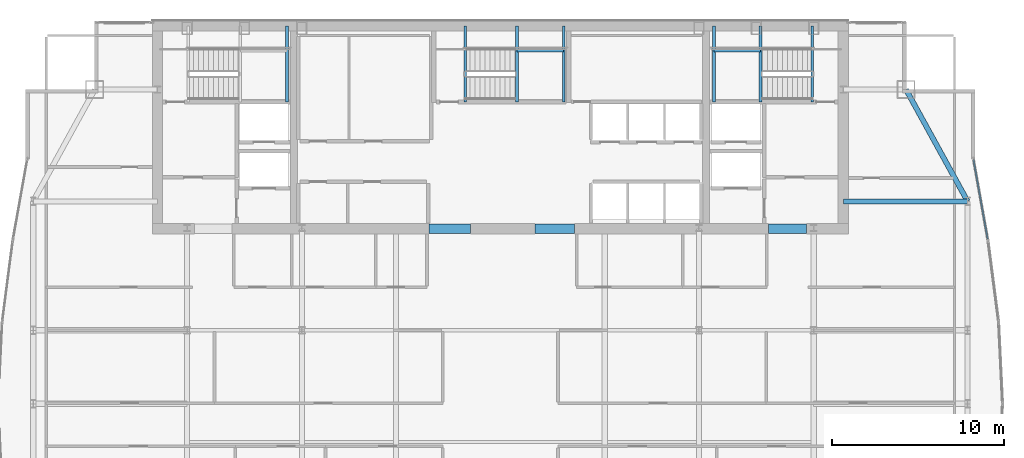
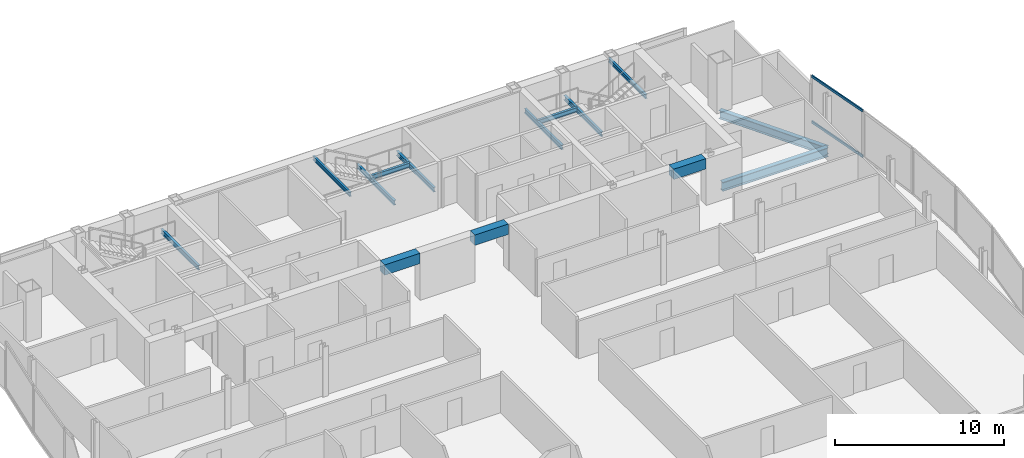
# One storey, part 22 of 30: 14 beams, 2 members, 1 element without a shape of its own.
"""IFC4 building model written with IfcOpenShell, lengths in metres."""

from ifc_helpers import new_model, si_unit, direction, frame, origin, origin_2d, place, context, subcontext, project, spatial, rectangle, hollow_rectangle, i_section, extrude, material, material_profile, profile_set, type_object, element, aggregate, save


model = new_model("IFC4")

# Units and contexts
model_context = context("Model", 3, precision=1e-05, world=origin(), true_north=direction((0.0, 1.0)))
body_context = subcontext(model_context, "Body", "Model", "MODEL_VIEW")
ifc_project = project(units=[si_unit("LENGTHUNIT", "METRE"), si_unit("AREAUNIT", "SQUARE_METRE"), si_unit("VOLUMEUNIT", "CUBIC_METRE"), si_unit("PLANEANGLEUNIT", "RADIAN"), si_unit("MASSUNIT", "GRAM", prefix="KILO")], contexts=[model_context])

# Site, building, storey
site_placement = place(None, origin())
site = spatial("IfcSite", under=ifc_project, at=site_placement, CompositionType="ELEMENT")
building_placement = place(site_placement, origin())
building = spatial("IfcBuilding", under=site, at=building_placement, Name="Khoronbel Lancet Exchange", CompositionType="ELEMENT")
storey_placement = place(building_placement, frame((0.0, 0.0, 253.39990234375)))
storey = spatial("IfcBuildingStorey", under=building, at=storey_placement, Name="L65", CompositionType="ELEMENT", Elevation=253.39990234375)

# Beams
ifc_material_1 = material(Name="Steel S355", Category="steel")
ifc_material_profile_1 = material_profile(ifc_material_1, i_section(OverallWidth=0.300048828125, OverallDepth=0.64990234375, WebThickness=0.01611328125, FlangeThickness=0.031005859375, at=origin_2d()), Name="HEB 650")
ifc_profile_set_1 = profile_set([ifc_material_profile_1], Name="Steel S355")
beam_type_1 = type_object("IfcBeamType", Name="BM-BG4", PredefinedType="BEAM", material=ifc_profile_set_1)
beam_1_placement = place(storey_placement, frame((56.39990234375, 43.199951171875, -0.48486328125), z_axis=(1.0, 0.0, 0.0), x_axis=(0.0, 1.0, 0.0)))
element("IfcBeam", 1, at=beam_1_placement, inside=storey, type_object=beam_type_1, Name="Level L65 east lens tie girder LG3E", PredefinedType="BEAM", context=body_context, shape_type="SweptSolid", body=[
    extrude(i_section(OverallWidth=0.300048828125, OverallDepth=0.64990234375, WebThickness=0.01611328125, FlangeThickness=0.031005859375, at=origin_2d()), origin(), (0.0, 0.0, 1.0), 7.22998046875),
])
ifc_material_profile_2 = material_profile(ifc_material_1, i_section(OverallWidth=0.159912109375, OverallDepth=0.330078125, WebThickness=0.007568359375, FlangeThickness=0.011474609375, at=origin_2d()), Name="IPE 330")
ifc_profile_set_2 = profile_set([ifc_material_profile_2], Name="Steel S355")
beam_type_2 = type_object("IfcBeamType", Name="BM-BJ7", PredefinedType="JOIST", material=ifc_profile_set_2)
for number, where, z_axis, x_axis, name in (
    (2, (24.030029296875, 48.97998046875, 1.43505859375), (0.0, 1.0, 0.0), (-1.0, 0.0, 0.0), "Level L65 stair ST1 rear landing bearer beam 1"),
    (3, (51.580078125, 48.97998046875, 1.43505859375), (0.0, 1.0, 0.0), (-1.0, 0.0, 0.0), "Level L65 stair ST2 landing bearer beam 1"),
    (4, (48.8701171875, 48.97998046875, 1.43505859375), (0.0, 1.0, 0.0), (-1.0, 0.0, 0.0), "Level L65 stair ST2 rear landing bearer beam 1"),
):
    element("IfcBeam", number, at=place(storey_placement, frame(where, z_axis=z_axis, x_axis=x_axis)), inside=storey, type_object=beam_type_2, Name=name, PredefinedType="JOIST", context=body_context, shape_type="SweptSolid", body=[
        extrude(i_section(OverallWidth=0.159912109375, OverallDepth=0.330078125, WebThickness=0.007568359375, FlangeThickness=0.011474609375, at=origin_2d()), origin(), (0.0, 0.0, 1.0), 4.419921875),
    ])
beam_2_placement = place(storey_placement, frame((48.8701171875, 51.97998046875, 1.43505859375), z_axis=(1.0, 0.0, 0.0), x_axis=(0.0, 1.0, 0.0)))
element("IfcBeam", 5, at=beam_2_placement, inside=storey, type_object=beam_type_2, Name="Level L65 stair ST2 landing cross trimmer beam 1", PredefinedType="JOIST", context=body_context, shape_type="SweptSolid", body=[
    extrude(i_section(OverallWidth=0.159912109375, OverallDepth=0.330078125, WebThickness=0.007568359375, FlangeThickness=0.011474609375, at=origin_2d()), origin(), (0.0, 0.0, 1.0), 2.7099609375),
])
for number, where, z_axis, x_axis, name in (
    (6, (37.419921875, 48.97998046875, 1.43505859375), (0.0, 1.0, 0.0), (-1.0, 0.0, 0.0), "Level L65 stair ST3 landing bearer beam 1"),
    (7, (40.1298828125, 48.97998046875, 1.43505859375), (0.0, 1.0, 0.0), (-1.0, 0.0, 0.0), "Level L65 stair ST3 rear landing bearer beam 1"),
):
    element("IfcBeam", number, at=place(storey_placement, frame(where, z_axis=z_axis, x_axis=x_axis)), inside=storey, type_object=beam_type_2, Name=name, PredefinedType="JOIST", context=body_context, shape_type="SweptSolid", body=[
        extrude(i_section(OverallWidth=0.159912109375, OverallDepth=0.330078125, WebThickness=0.007568359375, FlangeThickness=0.011474609375, at=origin_2d()), origin(), (0.0, 0.0, 1.0), 4.419921875),
    ])
beam_3_placement = place(storey_placement, frame((37.419921875, 51.97998046875, 1.43505859375), z_axis=(1.0, 0.0, 0.0), x_axis=(0.0, 1.0, 0.0)))
element("IfcBeam", 8, at=beam_3_placement, inside=storey, type_object=beam_type_2, Name="Level L65 stair ST3 landing cross trimmer beam 1", PredefinedType="JOIST", context=body_context, shape_type="SweptSolid", body=[
    extrude(i_section(OverallWidth=0.159912109375, OverallDepth=0.330078125, WebThickness=0.007568359375, FlangeThickness=0.011474609375, at=origin_2d()), origin(), (0.0, 0.0, 1.0), 2.7099609375),
])
ifc_material_profile_3 = material_profile(ifc_material_1, i_section(OverallWidth=0.14990234375, OverallDepth=0.300048828125, WebThickness=0.007080078125, FlangeThickness=0.0107421875, at=origin_2d()), Name="IPE 300")
ifc_profile_set_3 = profile_set([ifc_material_profile_3], Name="Steel S355")
beam_type_3 = type_object("IfcBeamType", Name="BM-BJ8", PredefinedType="JOIST", material=ifc_profile_set_3)
for number, where, z_axis, x_axis, name in (
    (9, (54.60009765625, 48.97998046875, 3.10009765625), (0.0, 1.0, 0.0), (-1.0, 0.0, 0.0), "Level L65 stair ST2 upper-flight arrival trimmer beam"),
    (10, (34.39990234375, 48.97998046875, 3.10009765625), (0.0, 1.0, 0.0), (-1.0, 0.0, 0.0), "Level L65 stair ST3 upper-flight arrival trimmer beam"),
):
    element("IfcBeam", number, at=place(storey_placement, frame(where, z_axis=z_axis, x_axis=x_axis)), inside=storey, type_object=beam_type_3, Name=name, PredefinedType="JOIST", context=body_context, shape_type="SweptSolid", body=[
        extrude(i_section(OverallWidth=0.14990234375, OverallDepth=0.300048828125, WebThickness=0.007080078125, FlangeThickness=0.0107421875, at=origin_2d()), origin(), (0.0, 0.0, 1.0), 4.419921875),
    ])
ifc_material_2 = material(Name="Concrete C60/75", Category="concrete")
ifc_material_profile_4 = material_profile(ifc_material_2, rectangle(XDim=0.550048828125, YDim=0.75, at=origin_2d()), Name="RC 550x750")
ifc_profile_set_4 = profile_set([ifc_material_profile_4], Name="Concrete C60/75")
beam_type_4 = type_object("IfcBeamType", Name="BM-BL2", PredefinedType="LINTEL", material=ifc_profile_set_4)
beam_4_placement = place(storey_placement, frame((32.300048828125, 41.60009765625, 3.005126953125), z_axis=(1.0, 0.0, 0.0), x_axis=(0.0, 1.0, 0.0)))
element("IfcBeam", 11, at=beam_4_placement, inside=storey, type_object=beam_type_4, Name="Level L65 rear core coupling lintel L2", PredefinedType="LINTEL", context=body_context, shape_type="SweptSolid", body=[
    extrude(rectangle(XDim=0.550048828125, YDim=0.75, at=origin_2d()), origin(), (0.0, 0.0, 1.0), 2.39990234375),
])
beam_5_placement = place(storey_placement, frame((38.449951171875, 41.60009765625, 3.005126953125), z_axis=(1.0, 0.0, 0.0), x_axis=(0.0, 1.0, 0.0)))
element("IfcBeam", 12, at=beam_5_placement, inside=storey, type_object=beam_type_4, Name="Level L65 rear core coupling lintel L3", PredefinedType="LINTEL", context=body_context, shape_type="SweptSolid", body=[
    extrude(rectangle(XDim=0.550048828125, YDim=0.75, at=origin_2d()), origin(), (0.0, 0.0, 1.0), 2.300048828125),
])
beam_6_placement = place(storey_placement, frame((52.050048828125, 41.60009765625, 3.005126953125), z_axis=(1.0, 0.0, 0.0), x_axis=(0.0, 1.0, 0.0)))
element("IfcBeam", 13, at=beam_6_placement, inside=storey, type_object=beam_type_4, Name="Level L65 rear core coupling lintel L4", PredefinedType="LINTEL", context=body_context, shape_type="SweptSolid", body=[
    extrude(rectangle(XDim=0.550048828125, YDim=0.75, at=origin_2d()), origin(), (0.0, 0.0, 1.0), 2.199951171875),
])
ifc_material_profile_5 = material_profile(ifc_material_1, i_section(OverallWidth=0.300048828125, OverallDepth=0.60009765625, WebThickness=0.015380859375, FlangeThickness=0.030029296875, at=origin_2d()), Name="HEB 600")
ifc_profile_set_5 = profile_set([ifc_material_profile_5], Name="Steel S355")
beam_type_5 = type_object("IfcBeamType", Name="BM-BSP2", PredefinedType="SPANDREL", material=ifc_profile_set_5)
beam_7_placement = place(storey_placement, frame((63.6298828125, 43.199951171875, -0.4599609375), z_axis=(-0.482418808117, 0.875940690672, 0.0), x_axis=(-0.875940690672, -0.482418808117, 0.0)))
element("IfcBeam", 14, at=beam_7_placement, inside=storey, type_object=beam_type_5, Name="Level L65 perimeter spandrel beam SP15", PredefinedType="SPANDREL", context=body_context, shape_type="SweptSolid", body=[
    extrude(i_section(OverallWidth=0.300048828125, OverallDepth=0.60009765625, WebThickness=0.015380859375, FlangeThickness=0.030029296875, at=origin_2d()), origin(), (0.0, 0.0, 1.0), 7.420654296875),
])

# Curtain wall, members
ifc_material_3 = material(Name="Low-E Solar Control Insulating Glass", Category="glass")
curtain_wall_type = type_object("IfcCurtainWallType", Name="CW-4", PredefinedType="NOTDEFINED", material=ifc_material_3)
curtain_wall_placement = place(storey_placement, origin())
curtain_wall = element("IfcCurtainWall", 15, at=curtain_wall_placement, inside=storey, type_object=curtain_wall_type, Name="Unitised curtain wall CW-L65-E17", PredefinedType="NOTDEFINED")
ifc_material_4 = material(Name="Bronze-Anodised Aluminium 6063-T6", Category="aluminium")
ifc_material_profile_6 = material_profile(ifc_material_4, hollow_rectangle(XDim=0.0849609375, YDim=0.179931640625, WallThickness=0.0048828125, at=origin_2d()), Name="ALU TRANSOM 85x180")
ifc_profile_set_6 = profile_set([ifc_material_profile_6], Name="Bronze-Anodised Aluminium 6063-T6")
member_type = type_object("IfcMemberType", Name="MEM-CWT1", PredefinedType="USERDEFINED", material=ifc_profile_set_6)
member_1_placement = place(storey_placement, frame((63.97314453125, 45.6181640625, 0.04248046875), z_axis=(0.175814104907, -0.984423384787, 0.0), x_axis=(0.984423384787, 0.175814104907, 0.0)))
member_1 = element("IfcMember", 16, at=member_1_placement, type_object=member_type, Name="CW4 transom 1.1", ObjectType="TRANSOM", PredefinedType="USERDEFINED", context=body_context, shape_type="SweptSolid", body=[
    extrude(hollow_rectangle(XDim=0.0849609375, YDim=0.179931640625, WallThickness=0.0048828125, at=origin_2d()), origin(), (0.0, 0.0, 1.0), 4.68115234375),
])
member_2_placement = place(storey_placement, frame((63.97314453125, 45.6181640625, 3.337646484375), z_axis=(0.175814104907, -0.984423384787, 0.0), x_axis=(0.984423384787, 0.175814104907, 0.0)))
member_2 = element("IfcMember", 17, at=member_2_placement, type_object=member_type, Name="CW4 transom 1.2", ObjectType="TRANSOM", PredefinedType="USERDEFINED", context=body_context, shape_type="SweptSolid", body=[
    extrude(hollow_rectangle(XDim=0.0849609375, YDim=0.179931640625, WallThickness=0.0048828125, at=origin_2d()), origin(), (0.0, 0.0, 1.0), 4.68115234375),
])
aggregate(curtain_wall, [member_1, member_2])

save(model, "model.ifc")
